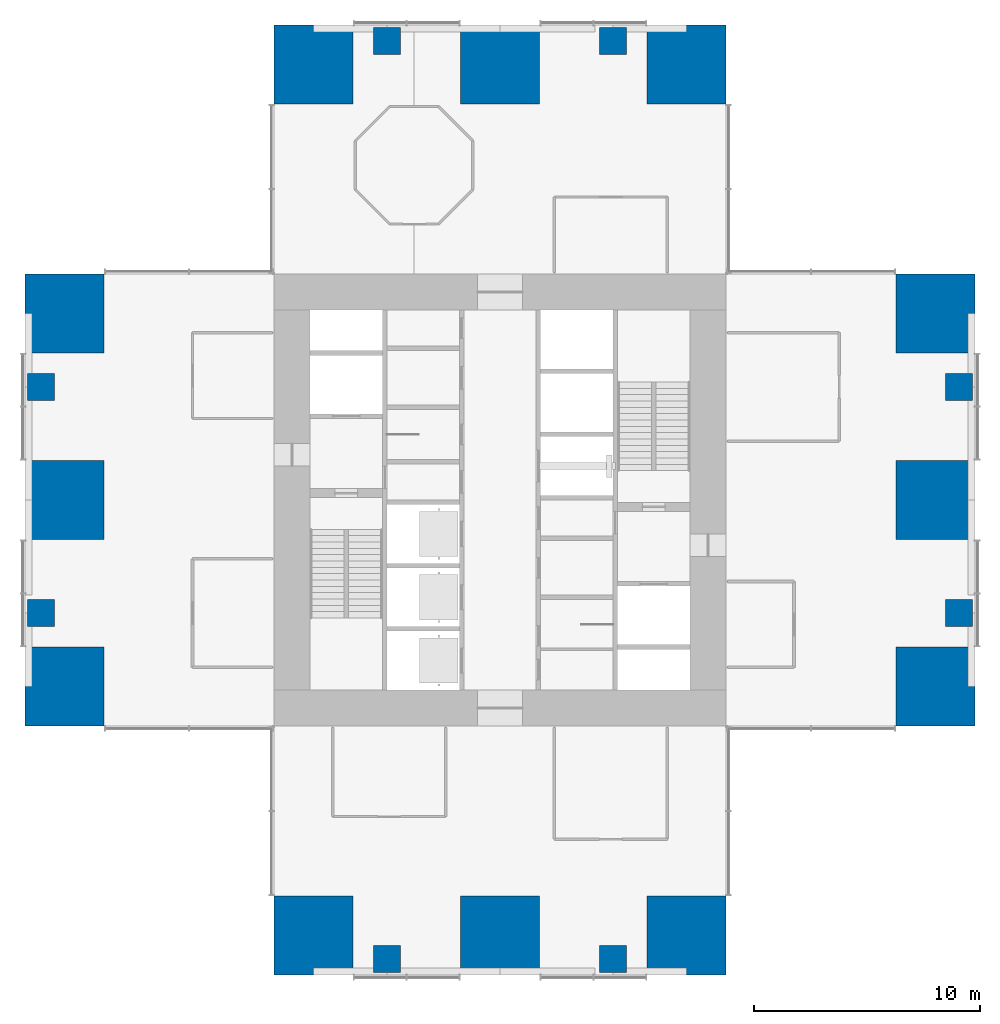
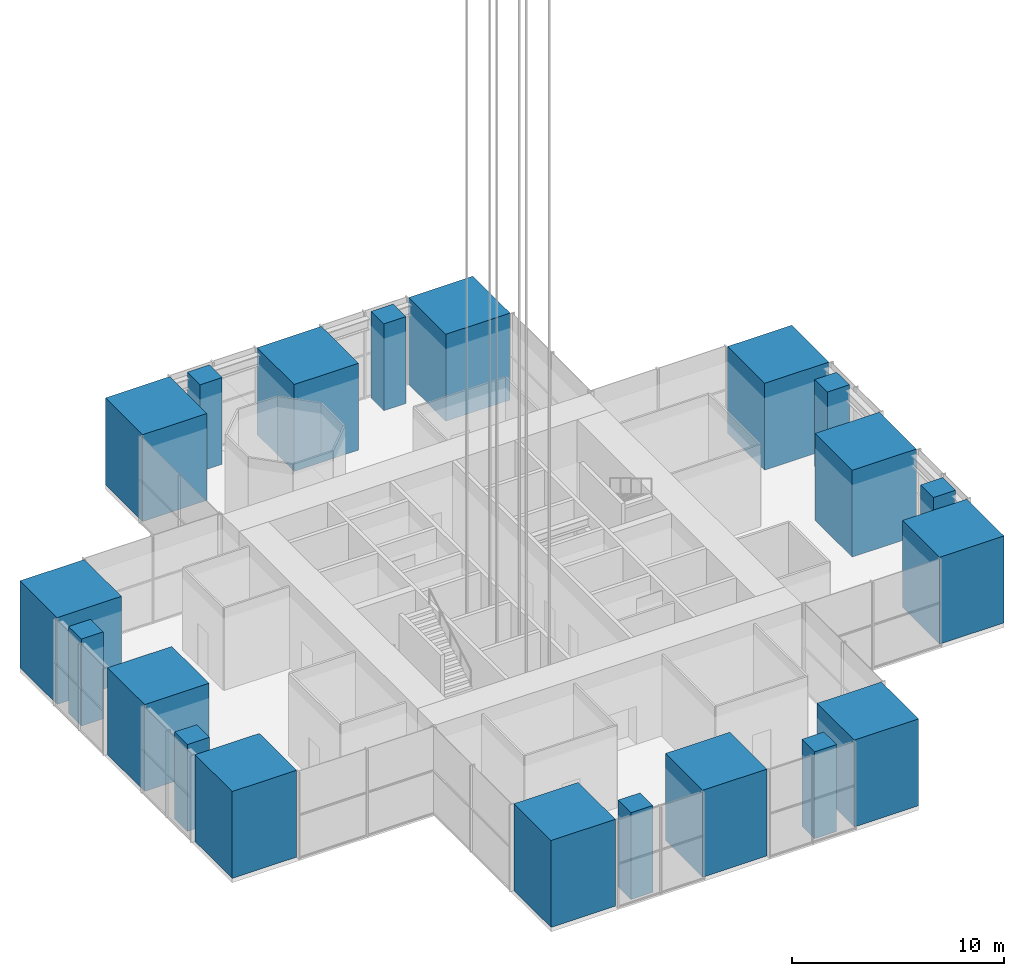
# One storey, part 1 of 16: 20 columns.
"""IFC4 building model written with IfcOpenShell, lengths in metres."""

from ifc_helpers import new_model, si_unit, direction, frame, origin, origin_2d, place, context, subcontext, project, spatial, rectangle, extrude, material, material_profile, profile_set, type_object, element, save


model = new_model("IFC4")

# Units and contexts
model_context = context("Model", 3, precision=1e-05, world=origin(), true_north=direction((0.0, 1.0)))
body_context = subcontext(model_context, "Body", "Model", "MODEL_VIEW")
ifc_project = project(units=[si_unit("LENGTHUNIT", "METRE"), si_unit("AREAUNIT", "SQUARE_METRE"), si_unit("VOLUMEUNIT", "CUBIC_METRE"), si_unit("PLANEANGLEUNIT", "RADIAN"), si_unit("MASSUNIT", "GRAM", prefix="KILO")], contexts=[model_context])

# Site, building, storey
site_placement = place(None, origin())
site = spatial("IfcSite", under=ifc_project, at=site_placement, CompositionType="ELEMENT")
building_placement = place(site_placement, origin())
building = spatial("IfcBuilding", under=site, at=building_placement, Name="Svetlomir Tower", CompositionType="ELEMENT")
storey_placement = place(building_placement, frame((0.0, 0.0, 91.5)))
storey = spatial("IfcBuildingStorey", under=building, at=storey_placement, Name="L21", CompositionType="ELEMENT", Elevation=91.5)

# Columns
ifc_material_1 = material(Name="Concrete C60/75", Category="concrete")
ifc_material_profile_1 = material_profile(ifc_material_1, rectangle(XDim=1.199951171875, YDim=1.199951171875, at=origin_2d()), Name="RC 1200x1200")
ifc_profile_set_1 = profile_set([ifc_material_profile_1], Name="Concrete C60/75")
column_type_1 = type_object("IfcColumnType", Name="COLUMN RC 1200x1200", PredefinedType="COLUMN", material=ifc_profile_set_1)
for number, where, z_axis, x_axis, name in (
    (1, (16.0, 0.699951171875, 0.0), (0.0, 0.0, 1.0), (1.0, 0.0, 0.0), "Column 16/0 L21"),
    (2, (26.0, 0.699951171875, 0.0), (0.0, 0.0, 1.0), (1.0, 0.0, 0.0), "Column 26/0 L21"),
    (3, (0.699951171875, 16.0, 0.0), (0.0, 0.0, 1.0), (1.0, 0.0, 0.0), "Column 0/16 L21"),
    (4, (41.300048828125, 16.0, 0.0), (0.0, 0.0, 1.0), (1.0, 0.0, 0.0), "Column 42/16 L21"),
    (5, (0.699951171875, 26.0, 0.0), (0.0, 0.0, 1.0), (1.0, 0.0, 0.0), "Column 0/26 L21"),
    (6, (41.300048828125, 26.0, 0.0), (0.0, 0.0, 1.0), (1.0, 0.0, 0.0), "Column 42/26 L21"),
    (7, (16.0, 41.300048828125, 0.0), (0.0, 0.0, 1.0), (1.0, 0.0, 0.0), "Column 16/42 L21"),
    (8, (26.0, 41.300048828125, 0.0), (0.0, 0.0, 1.0), (1.0, 0.0, 0.0), "Column 26/42 L21"),
):
    element("IfcColumn", number, at=place(storey_placement, frame(where, z_axis=z_axis, x_axis=x_axis)), inside=storey, type_object=column_type_1, Name=name, PredefinedType="COLUMN", context=body_context, shape_type="SweptSolid", body=[
        extrude(rectangle(XDim=1.199951171875, YDim=1.199951171875, at=origin_2d()), origin(), (0.0, 0.0, 1.0), 5.0),
    ])
ifc_material_2 = material(Name="Concrete C60/75", Category="concrete")
ifc_material_profile_2 = material_profile(ifc_material_2, rectangle(XDim=3.5, YDim=3.5, at=origin_2d()), Name="RC 3500x3500")
ifc_profile_set_2 = profile_set([ifc_material_profile_2], Name="Concrete C60/75")
column_type_2 = type_object("IfcColumnType", Name="COLUMN RC 3500x3500", PredefinedType="COLUMN", material=ifc_profile_set_2)
for number, where, z_axis, x_axis, name in (
    (9, (12.75, 1.75, 0.0), (0.0, 0.0, 1.0), (1.0, 0.0, 0.0), "Column 11/0 L21"),
    (10, (21.0, 1.75, 0.0), (0.0, 0.0, 1.0), (1.0, 0.0, 0.0), "Column 21/0 L21"),
    (11, (29.25, 1.75, 0.0), (0.0, 0.0, 1.0), (1.0, 0.0, 0.0), "Column 31/0 L21"),
    (12, (1.75, 12.75, 0.0), (0.0, 0.0, 1.0), (1.0, 0.0, 0.0), "Column 0/11 L21"),
    (13, (40.25, 12.75, 0.0), (0.0, 0.0, 1.0), (1.0, 0.0, 0.0), "Column 42/11 L21"),
    (14, (1.75, 21.0, 0.0), (0.0, 0.0, 1.0), (1.0, 0.0, 0.0), "Column 0/21 L21"),
    (15, (40.25, 21.0, 0.0), (0.0, 0.0, 1.0), (1.0, 0.0, 0.0), "Column 42/21 L21"),
    (16, (1.75, 29.25, 0.0), (0.0, 0.0, 1.0), (1.0, 0.0, 0.0), "Column 0/31 L21"),
    (17, (40.25, 29.25, 0.0), (0.0, 0.0, 1.0), (1.0, 0.0, 0.0), "Column 42/31 L21"),
    (18, (12.75, 40.25, 0.0), (0.0, 0.0, 1.0), (1.0, 0.0, 0.0), "Column 11/42 L21"),
    (19, (21.0, 40.25, 0.0), (0.0, 0.0, 1.0), (1.0, 0.0, 0.0), "Column 21/42 L21"),
    (20, (29.25, 40.25, 0.0), (0.0, 0.0, 1.0), (1.0, 0.0, 0.0), "Column 31/42 L21"),
):
    element("IfcColumn", number, at=place(storey_placement, frame(where, z_axis=z_axis, x_axis=x_axis)), inside=storey, type_object=column_type_2, Name=name, PredefinedType="COLUMN", context=body_context, shape_type="SweptSolid", body=[
        extrude(rectangle(XDim=3.5, YDim=3.5, at=origin_2d()), origin(), (0.0, 0.0, 1.0), 5.0),
    ])

save(model, "model.ifc")
